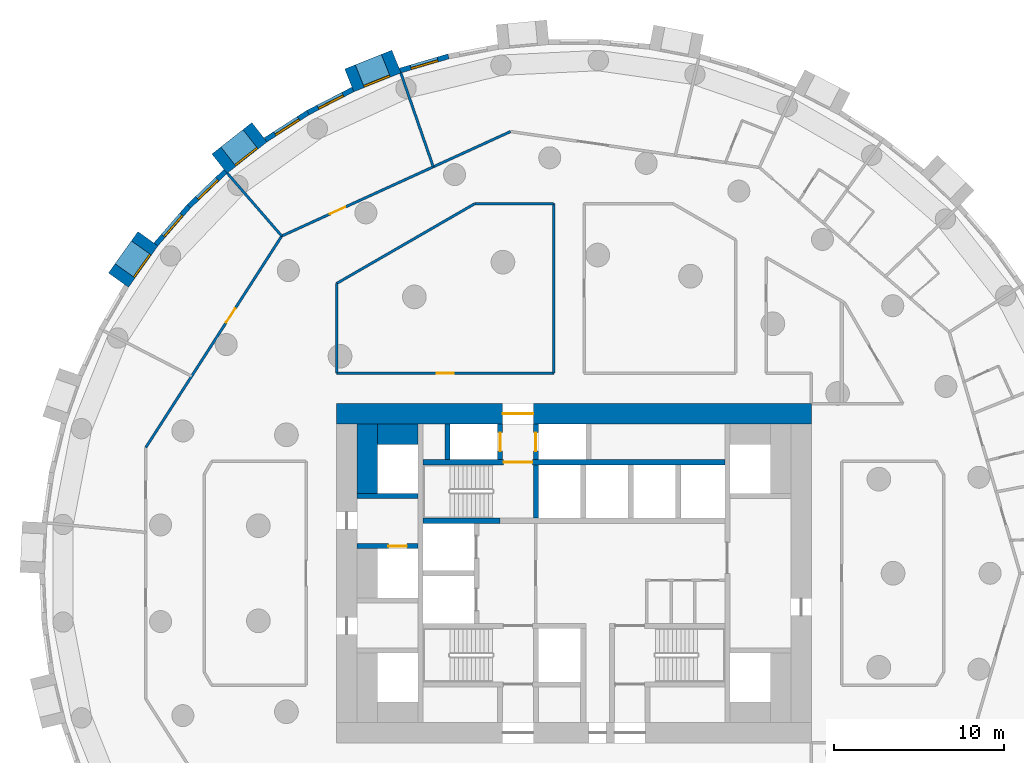
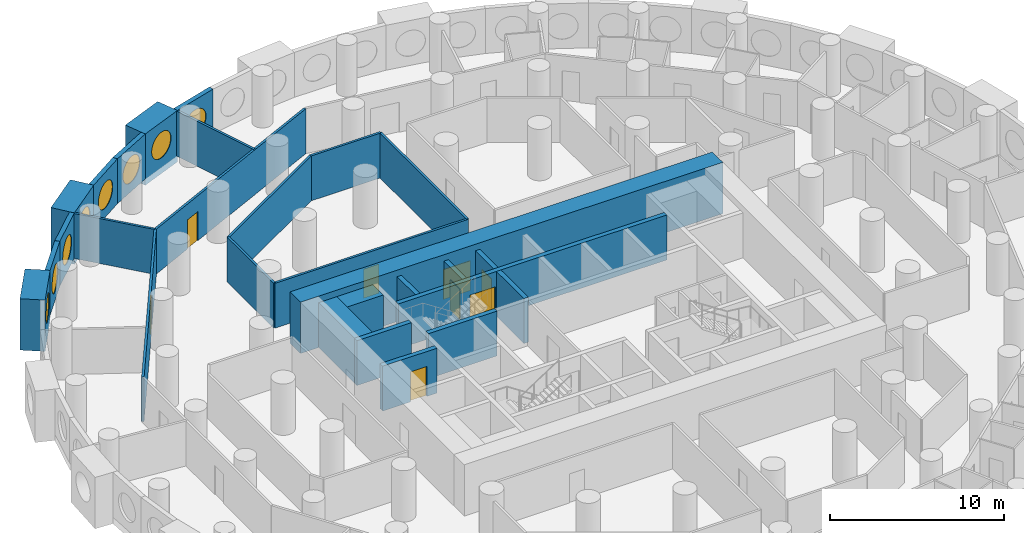
# One storey, part 7 of 12: 28 walls, 8 doors, 8 windows, 16 openings.
"""IFC4 building model written with IfcOpenShell, lengths in metres."""

from ifc_helpers import new_model, si_unit, direction, frame, frame_2d, origin, origin_2d, place, context, subcontext, project, spatial, rectangle, circle, extrude, material, layer, layer_set, type_object, element, fill, save


model = new_model("IFC4")

# Units and contexts
model_context = context("Model", 3, precision=1e-05, world=origin(), true_north=direction((0.0, 1.0)))
body_context = subcontext(model_context, "Body", "Model", "MODEL_VIEW")
ifc_project = project(units=[si_unit("LENGTHUNIT", "METRE"), si_unit("AREAUNIT", "SQUARE_METRE"), si_unit("VOLUMEUNIT", "CUBIC_METRE"), si_unit("PLANEANGLEUNIT", "RADIAN"), si_unit("MASSUNIT", "GRAM", prefix="KILO")], contexts=[model_context])

# Site, building, storey
site_placement = place(None, origin())
site = spatial("IfcSite", under=ifc_project, at=site_placement, CompositionType="ELEMENT")
building_placement = place(site_placement, origin())
building = spatial("IfcBuilding", under=site, at=building_placement, Name="Tracery Tower", CompositionType="ELEMENT")
storey_placement = place(building_placement, frame((0.0, 0.0, 75.0)))
storey = spatial("IfcBuildingStorey", under=building, at=storey_placement, Name="L18", CompositionType="ELEMENT", Elevation=75.0)

# Walls
ifc_material_1 = material(Name="Concrete C60/75", Category="concrete")
ifc_layer_1 = layer(ifc_material_1, 1.199951171875)
ifc_layer_set_1 = layer_set([ifc_layer_1], Name="Core strip wall 1200 C60")
wall_type_1 = type_object("IfcWallType", Name="Core strip wall 1200 C60", PredefinedType="SOLIDWALL", material=ifc_layer_set_1)
wall_1_placement = place(storey_placement, frame((-12.199951171875, 4.699951171875, 0.0), z_axis=(0.0, 0.0, 1.0), x_axis=(0.0, 1.0, 0.0)))
element("IfcWall", 1, at=wall_1_placement, inside=storey, type_object=wall_type_1, Name="L18 wing strip -1 4.55", PredefinedType="SOLIDWALL", context=body_context, shape_type="SweptSolid", body=[
    extrude(rectangle(XDim=4.10009765625, YDim=1.199951171875, at=frame_2d((2.050048828125, 0.0))), origin(), (0.0, 0.0, 1.0), 3.14990234375),
])
wall_2_placement = place(storey_placement, frame((-11.60009765625, 8.199951171875, 0.0), z_axis=(0.0, 0.0, 1.0), x_axis=(1.0, 0.0, 0.0)))
element("IfcWall", 2, at=wall_2_placement, inside=storey, type_object=wall_type_1, Name="L18 wing corner -1 +8.2", PredefinedType="SOLIDWALL", context=body_context, shape_type="SweptSolid", body=[
    extrude(rectangle(XDim=2.400146484375, YDim=1.199951171875, at=frame_2d((1.2001953125, 0.0))), origin(), (0.0, 0.0, 1.0), 3.14990234375),
])

# Wall, opening, door
ifc_material_2 = material(Name="Concrete C60/75", Category="concrete")
ifc_layer_2 = layer(ifc_material_2, 1.199951171875)
ifc_layer_set_2 = layer_set([ifc_layer_2], Name="Core wall 1200 C60")
wall_type_2 = type_object("IfcWallType", Name="Core wall 1200 C60", PredefinedType="SOLIDWALL", material=ifc_layer_set_2)
wall_3_placement = place(storey_placement, frame((-14.0, 9.39990234375, 0.0), z_axis=(0.0, 0.0, 1.0), x_axis=(1.0, 0.0, 0.0)))
wall_3 = element("IfcWall", 3, at=wall_3_placement, inside=storey, type_object=wall_type_2, Name="L18 outer N", PredefinedType="SOLIDWALL", context=body_context, shape_type="SweptSolid", body=[
    extrude(rectangle(XDim=28.0, YDim=1.199951171875, at=frame_2d((14.0, 0.0))), origin(), (0.0, 0.0, 1.0), 3.60009765625),
])
opening_1_placement = place(wall_3_placement, frame((9.800048828125, 0.0, 0.0)))
opening_1 = element("IfcOpeningElement", 4, at=opening_1_placement, cuts=wall_3, Name="Opening KD13", PredefinedType="OPENING", context=body_context, shape_type="SweptSolid", body=[
    extrude(rectangle(XDim=1.800048828125, YDim=2.10009765625, at=frame_2d((0.89990234375, 1.050048828125))), frame((0.0, 0.60009765625, 0.0), z_axis=(0.0, -1.0, 0.0), x_axis=(1.0, 0.0, 0.0)), (0.0, 0.0, 1.0), 1.199951171875),
])
ifc_material_3 = material(Name="Steel fire door", Category="steel")
door_type_1 = type_object("IfcDoorType", Name="Core exit door 1800 double", OperationType="NOTDEFINED", PredefinedType="DOOR", material=ifc_material_3)
door_1_placement = place(opening_1_placement, origin())
door_1 = element("IfcDoor", 5, at=door_1_placement, inside=storey, type_object=door_type_1, Name="Core exit door", OperationType="DOUBLE_DOOR_SINGLE_SWING", OverallHeight=2.10009765625, OverallWidth=1.800048828125, PredefinedType="DOOR", context=body_context, shape_type="SweptSolid", body=[
    extrude(rectangle(XDim=1.800048828125, YDim=2.10009765625, at=frame_2d((0.89990234375, 1.050048828125))), frame((0.0, 0.02490234375, 0.0), z_axis=(0.0, -1.0, 0.0), x_axis=(1.0, 0.0, 0.0)), (0.0, 0.0, 1.0), 0.050048828125),
])
fill(opening_1, door_1)

# Wall, opening, window
ifc_material_4 = material(Name="Precast concrete C50/60", Category="concrete")
ifc_layer_3 = layer(ifc_material_4, 1.449951171875)
ifc_layer_set_3 = layer_set([ifc_layer_3], Name="Deep-set bay unit 3000 x 3600, slab edge 450")
wall_type_3 = type_object("IfcWallType", Name="Deep-set bay unit 3000 x 3600, slab edge 450", PredefinedType="ELEMENTEDWALL", material=ifc_layer_set_3)
wall_4_placement = place(storey_placement, frame((-10.46875, 30.185302734375, -0.449951171875), z_axis=(0.0, 0.0, 1.0), x_axis=(-0.928358776184, -0.371685327504, 0.0)))
wall_4 = element("IfcWall", 6, at=wall_4_placement, inside=storey, type_object=wall_type_3, Name="Deep-set bay unit 21 at L18", PredefinedType="ELEMENTEDWALL", context=body_context, shape_type="SweptSolid", body=[
    extrude(rectangle(XDim=2.999755859375, YDim=1.449951171875, at=frame_2d((1.5, 0.0))), origin(), (0.0, 0.0, 1.0), 3.599853515625),
])
opening_2_placement = place(wall_4_placement, frame((1.5, 0.0, 2.0)))
opening_2 = element("IfcOpeningElement", 7, at=opening_2_placement, cuts=wall_4, Name="Opening WN1", PredefinedType="OPENING", context=body_context, shape_type="SweptSolid", body=[
    extrude(circle(Radius=0.9000244140625, at=origin_2d()), frame((0.0, 0.73486328125, 0.0), z_axis=(0.0, -1.0, 0.0), x_axis=(1.0, 0.0, 0.0)), (0.0, 0.0, 1.0), 1.469970703125),
])
ifc_material_5 = material(Name="Aluminium frame with tinted double glazing", Category="aluminium")
window_type = type_object("IfcWindowType", Name="Round window 1800", PartitioningType="SINGLE_PANEL", PredefinedType="WINDOW", material=ifc_material_5)
window_1_placement = place(opening_2_placement, origin())
window_1 = element("IfcWindow", 8, at=window_1_placement, inside=storey, type_object=window_type, Name="Round window 21 at L18", OverallHeight=1.800048828125, OverallWidth=1.800048828125, PartitioningType="SINGLE_PANEL", PredefinedType="WINDOW", context=body_context, shape_type="SweptSolid", body=[
    extrude(circle(Radius=0.9000244140625, at=origin_2d()), frame((0.0, 0.69482421875, 0.0), z_axis=(0.0, -1.0, 0.0), x_axis=(1.0, 0.0, 0.0)), (0.0, 0.0, 1.0), 0.10009765625),
])
fill(opening_2, window_1)

wall_5_placement = place(storey_placement, frame((-18.548828125, 26.01318359375, -0.449951171875), z_axis=(0.0, 0.0, 1.0), x_axis=(-0.786049992888, -0.618162930529, 0.0)))
wall_5 = element("IfcWall", 9, at=wall_5_placement, inside=storey, type_object=wall_type_3, Name="Deep-set bay unit 24 at L18", PredefinedType="ELEMENTEDWALL", context=body_context, shape_type="SweptSolid", body=[
    extrude(rectangle(XDim=3.0, YDim=1.449951171875, at=frame_2d((1.5, 0.0))), origin(), (0.0, 0.0, 1.0), 3.599853515625),
])
opening_3_placement = place(wall_5_placement, frame((1.5, 0.0, 2.0)))
opening_3 = element("IfcOpeningElement", 10, at=opening_3_placement, cuts=wall_5, Name="Opening WN1", PredefinedType="OPENING", context=body_context, shape_type="SweptSolid", body=[
    extrude(circle(Radius=0.9000244140625, at=origin_2d()), frame((0.0, 0.73486328125, 0.0), z_axis=(0.0, -1.0, 0.0), x_axis=(1.0, 0.0, 0.0)), (0.0, 0.0, 1.0), 1.469970703125),
])
window_2_placement = place(opening_3_placement, origin())
window_2 = element("IfcWindow", 11, at=window_2_placement, inside=storey, type_object=window_type, Name="Round window 24 at L18", OverallHeight=1.800048828125, OverallWidth=1.800048828125, PartitioningType="SINGLE_PANEL", PredefinedType="WINDOW", context=body_context, shape_type="SweptSolid", body=[
    extrude(circle(Radius=0.9000244140625, at=origin_2d()), frame((0.0, 0.69482421875, 0.0), z_axis=(0.0, -1.0, 0.0), x_axis=(1.0, 0.0, 0.0)), (0.0, 0.0, 1.0), 0.10009765625),
])
fill(opening_3, window_2)

wall_6_placement = place(storey_placement, frame((-25.126220703125, 19.733642578125, -0.449951171875), z_axis=(0.0, 0.0, 1.0), x_axis=(-0.580090570606, -0.814551981088, 0.0)))
wall_6 = element("IfcWall", 12, at=wall_6_placement, inside=storey, type_object=wall_type_3, Name="Deep-set bay unit 27 at L18", PredefinedType="ELEMENTEDWALL", context=body_context, shape_type="SweptSolid", body=[
    extrude(rectangle(XDim=3.0, YDim=1.449951171875, at=frame_2d((1.5, 0.0))), origin(), (0.0, 0.0, 1.0), 3.599853515625),
])
opening_4_placement = place(wall_6_placement, frame((1.5, 0.0, 2.0)))
opening_4 = element("IfcOpeningElement", 13, at=opening_4_placement, cuts=wall_6, Name="Opening WN1", PredefinedType="OPENING", context=body_context, shape_type="SweptSolid", body=[
    extrude(circle(Radius=0.9000244140625, at=origin_2d()), frame((0.0, 0.73486328125, 0.0), z_axis=(0.0, -1.0, 0.0), x_axis=(1.0, 0.0, 0.0)), (0.0, 0.0, 1.0), 1.469970703125),
])
window_3_placement = place(opening_4_placement, origin())
window_3 = element("IfcWindow", 14, at=window_3_placement, inside=storey, type_object=window_type, Name="Round window 27 at L18", OverallHeight=1.800048828125, OverallWidth=1.800048828125, PartitioningType="SINGLE_PANEL", PredefinedType="WINDOW", context=body_context, shape_type="SweptSolid", body=[
    extrude(circle(Radius=0.9000244140625, at=origin_2d()), frame((0.0, 0.69482421875, 0.0), z_axis=(0.0, -1.0, 0.0), x_axis=(1.0, 0.0, 0.0)), (0.0, 0.0, 1.0), 0.10009765625),
])
fill(opening_4, window_3)

ifc_material_6 = material(Name="Precast concrete C50/60", Category="concrete")
ifc_layer_4 = layer(ifc_material_6, 0.300048828125)
ifc_layer_set_4 = layer_set([ifc_layer_4], Name="Facade panel 3000 x 3150")
wall_type_4 = type_object("IfcWallType", Name="Facade panel 3000 x 3150", PredefinedType="SOLIDWALL", material=ifc_layer_set_4)
wall_7_placement = place(storey_placement, frame((-7.396728515625, 30.489990234375, 0.0), z_axis=(0.0, 0.0, 1.0), x_axis=(-0.959507586834, -0.28168278401, 0.0)))
wall_7 = element("IfcWall", 15, at=wall_7_placement, inside=storey, type_object=wall_type_4, Name="Facade panel 20 at L18", PredefinedType="SOLIDWALL", context=body_context, shape_type="SweptSolid", body=[
    extrude(rectangle(XDim=2.979736328125, YDim=0.300048828125, at=frame_2d((1.48974609375, 0.0))), origin(), (0.0, 0.0, 1.0), 3.14990234375),
])
opening_5_placement = place(wall_7_placement, frame((1.48974609375, 0.0, 1.5498046875)))
opening_5 = element("IfcOpeningElement", 16, at=opening_5_placement, cuts=wall_7, Name="Opening WN1", PredefinedType="OPENING", context=body_context, shape_type="SweptSolid", body=[
    extrude(circle(Radius=0.9000244140625, at=origin_2d()), frame((0.0, 0.159912109375, 0.0), z_axis=(0.0, -1.0, 0.0), x_axis=(1.0, 0.0, 0.0)), (0.0, 0.0, 1.0), 0.320068359375),
])
window_4_placement = place(opening_5_placement, origin())
window_4 = element("IfcWindow", 17, at=window_4_placement, inside=storey, type_object=window_type, Name="Round window 20 at L18", OverallHeight=1.800048828125, OverallWidth=1.800048828125, PartitioningType="SINGLE_PANEL", PredefinedType="WINDOW", context=body_context, shape_type="SweptSolid", body=[
    extrude(circle(Radius=0.9000244140625, at=origin_2d()), frame((0.0, 0.1201171875, 0.0), z_axis=(0.0, -1.0, 0.0), x_axis=(1.0, 0.0, 0.0)), (0.0, 0.0, 1.0), 0.10009765625),
])
fill(opening_5, window_4)

wall_8_placement = place(storey_placement, frame((-13.038818359375, 28.536376953125, 0.0), z_axis=(0.0, 0.0, 1.0), x_axis=(-0.888853225096, -0.4581920386, 0.0)))
wall_8 = element("IfcWall", 18, at=wall_8_placement, inside=storey, type_object=wall_type_4, Name="Facade panel 22 at L18", PredefinedType="SOLIDWALL", context=body_context, shape_type="SweptSolid", body=[
    extrude(rectangle(XDim=2.9794921875, YDim=0.300048828125, at=frame_2d((1.48974609375, 0.0))), origin(), (0.0, 0.0, 1.0), 3.14990234375),
])
opening_6_placement = place(wall_8_placement, frame((1.48974609375, 0.0, 1.5498046875)))
opening_6 = element("IfcOpeningElement", 19, at=opening_6_placement, cuts=wall_8, Name="Opening WN1", PredefinedType="OPENING", context=body_context, shape_type="SweptSolid", body=[
    extrude(circle(Radius=0.9000244140625, at=origin_2d()), frame((0.0, 0.159912109375, 0.0), z_axis=(0.0, -1.0, 0.0), x_axis=(1.0, 0.0, 0.0)), (0.0, 0.0, 1.0), 0.320068359375),
])
window_5_placement = place(opening_6_placement, origin())
window_5 = element("IfcWindow", 20, at=window_5_placement, inside=storey, type_object=window_type, Name="Round window 22 at L18", OverallHeight=1.800048828125, OverallWidth=1.800048828125, PartitioningType="SINGLE_PANEL", PredefinedType="WINDOW", context=body_context, shape_type="SweptSolid", body=[
    extrude(circle(Radius=0.9000244140625, at=origin_2d()), frame((0.0, 0.1201171875, 0.0), z_axis=(0.0, -1.0, 0.0), x_axis=(1.0, 0.0, 0.0)), (0.0, 0.0, 1.0), 0.10009765625),
])
fill(opening_6, window_5)

wall_9_placement = place(storey_placement, frame((-15.687255859375, 27.171142578125, 0.0), z_axis=(0.0, 0.0, 1.0), x_axis=(-0.84122372879, -0.540687190639, 0.0)))
wall_9 = element("IfcWall", 21, at=wall_9_placement, inside=storey, type_object=wall_type_4, Name="Facade panel 23 at L18", PredefinedType="SOLIDWALL", context=body_context, shape_type="SweptSolid", body=[
    extrude(rectangle(XDim=2.979736328125, YDim=0.300048828125, at=frame_2d((1.48974609375, 0.0))), origin(), (0.0, 0.0, 1.0), 3.14990234375),
])
opening_7_placement = place(wall_9_placement, frame((1.48974609375, 0.0, 1.5498046875)))
opening_7 = element("IfcOpeningElement", 22, at=opening_7_placement, cuts=wall_9, Name="Opening WN1", PredefinedType="OPENING", context=body_context, shape_type="SweptSolid", body=[
    extrude(circle(Radius=0.9000244140625, at=origin_2d()), frame((0.0, 0.159912109375, 0.0), z_axis=(0.0, -1.0, 0.0), x_axis=(1.0, 0.0, 0.0)), (0.0, 0.0, 1.0), 0.320068359375),
])
window_6_placement = place(opening_7_placement, origin())
window_6 = element("IfcWindow", 23, at=window_6_placement, inside=storey, type_object=window_type, Name="Round window 23 at L18", OverallHeight=1.800048828125, OverallWidth=1.800048828125, PartitioningType="SINGLE_PANEL", PredefinedType="WINDOW", context=body_context, shape_type="SweptSolid", body=[
    extrude(circle(Radius=0.9000244140625, at=origin_2d()), frame((0.0, 0.1201171875, 0.0), z_axis=(0.0, -1.0, 0.0), x_axis=(1.0, 0.0, 0.0)), (0.0, 0.0, 1.0), 0.10009765625),
])
fill(opening_7, window_6)

wall_10_placement = place(storey_placement, frame((-20.55029296875, 23.70703125, 0.0), z_axis=(0.0, 0.0, 1.0), x_axis=(-0.723744206617, -0.690068346896, 0.0)))
wall_10 = element("IfcWall", 24, at=wall_10_placement, inside=storey, type_object=wall_type_4, Name="Facade panel 25 at L18", PredefinedType="SOLIDWALL", context=body_context, shape_type="SweptSolid", body=[
    extrude(rectangle(XDim=2.979736328125, YDim=0.300048828125, at=frame_2d((1.48974609375, 0.0))), origin(), (0.0, 0.0, 1.0), 3.14990234375),
])
opening_8_placement = place(wall_10_placement, frame((1.48974609375, 0.0, 1.5498046875)))
opening_8 = element("IfcOpeningElement", 25, at=opening_8_placement, cuts=wall_10, Name="Opening WN1", PredefinedType="OPENING", context=body_context, shape_type="SweptSolid", body=[
    extrude(circle(Radius=0.9000244140625, at=origin_2d()), frame((0.0, 0.159912109375, 0.0), z_axis=(0.0, -1.0, 0.0), x_axis=(1.0, 0.0, 0.0)), (0.0, 0.0, 1.0), 0.320068359375),
])
window_7_placement = place(opening_8_placement, origin())
window_7 = element("IfcWindow", 26, at=window_7_placement, inside=storey, type_object=window_type, Name="Round window 25 at L18", OverallHeight=1.800048828125, OverallWidth=1.800048828125, PartitioningType="SINGLE_PANEL", PredefinedType="WINDOW", context=body_context, shape_type="SweptSolid", body=[
    extrude(circle(Radius=0.9000244140625, at=origin_2d()), frame((0.0, 0.1201171875, 0.0), z_axis=(0.0, -1.0, 0.0), x_axis=(1.0, 0.0, 0.0)), (0.0, 0.0, 1.0), 0.10009765625),
])
fill(opening_8, window_7)

wall_11_placement = place(storey_placement, frame((-22.706787109375, 21.65087890625, 0.0), z_axis=(0.0, 0.0, 1.0), x_axis=(-0.654830712471, -0.755775587066, 0.0)))
wall_11 = element("IfcWall", 27, at=wall_11_placement, inside=storey, type_object=wall_type_4, Name="Facade panel 26 at L18", PredefinedType="SOLIDWALL", context=body_context, shape_type="SweptSolid", body=[
    extrude(rectangle(XDim=2.979736328125, YDim=0.300048828125, at=frame_2d((1.48974609375, 0.0))), origin(), (0.0, 0.0, 1.0), 3.14990234375),
])
opening_9_placement = place(wall_11_placement, frame((1.48974609375, 0.0, 1.5498046875)))
opening_9 = element("IfcOpeningElement", 28, at=opening_9_placement, cuts=wall_11, Name="Opening WN1", PredefinedType="OPENING", context=body_context, shape_type="SweptSolid", body=[
    extrude(circle(Radius=0.9000244140625, at=origin_2d()), frame((0.0, 0.159912109375, 0.0), z_axis=(0.0, -1.0, 0.0), x_axis=(1.0, 0.0, 0.0)), (0.0, 0.0, 1.0), 0.320068359375),
])
window_8_placement = place(opening_9_placement, origin())
window_8 = element("IfcWindow", 29, at=window_8_placement, inside=storey, type_object=window_type, Name="Round window 26 at L18", OverallHeight=1.800048828125, OverallWidth=1.800048828125, PartitioningType="SINGLE_PANEL", PredefinedType="WINDOW", context=body_context, shape_type="SweptSolid", body=[
    extrude(circle(Radius=0.9000244140625, at=origin_2d()), frame((0.0, 0.1201171875, 0.0), z_axis=(0.0, -1.0, 0.0), x_axis=(1.0, 0.0, 0.0)), (0.0, 0.0, 1.0), 0.10009765625),
])
fill(opening_9, window_8)

# Walls
ifc_material_7 = material(Name="Plasterboard on steel studs", Category="steel")
ifc_layer_5 = layer(ifc_material_7, 0.14990234375)
ifc_layer_set_5 = layer_set([ifc_layer_5], Name="Partition 150 acoustic unit wall")
wall_type_5 = type_object("IfcWallType", Name="Partition 150 acoustic unit wall", PredefinedType="PARTITIONING", material=ifc_layer_set_5)
wall_12_placement = place(storey_placement, frame((-10.2119140625, 29.507080078125, 0.0), z_axis=(0.0, 0.0, 1.0), x_axis=(0.32692444056, -0.94505048022, 0.0)))
element("IfcWall", 30, at=wall_12_placement, inside=storey, type_object=wall_type_5, Name="Unit wall RA5-080", PredefinedType="PARTITIONING", context=body_context, shape_type="SweptSolid", body=[
    extrude(rectangle(XDim=5.85693359375, YDim=0.14990234375, at=frame_2d((2.928466796875, 0.0))), origin(), (0.0, 0.0, 1.0), 3.14990234375),
])
wall_13_placement = place(storey_placement, frame((-20.447998046875, 23.597900390625, 0.0), z_axis=(0.0, 0.0, 1.0), x_axis=(0.654847179409, -0.755761319214, 0.0)))
element("IfcWall", 31, at=wall_13_placement, inside=storey, type_object=wall_type_5, Name="Unit wall RA5-081", PredefinedType="PARTITIONING", context=body_context, shape_type="SweptSolid", body=[
    extrude(rectangle(XDim=4.90625, YDim=0.14990234375, at=frame_2d((2.453125, 0.0))), origin(), (0.0, 0.0, 1.0), 3.14990234375),
])

# Wall, opening, door
ifc_material_8 = material(Name="Plasterboard on steel studs", Category="steel")
ifc_layer_6 = layer(ifc_material_8, 0.14990234375)
ifc_layer_set_6 = layer_set([ifc_layer_6], Name="Partition 150 corridor wall")
wall_type_6 = type_object("IfcWallType", Name="Partition 150 corridor wall", PredefinedType="PARTITIONING", material=ifc_layer_set_6)
wall_14_placement = place(storey_placement, frame((-14.00390625, 11.800048828125, 0.0), z_axis=(0.0, 0.0, 1.0), x_axis=(1.0, 0.0, 0.0)))
wall_14 = element("IfcWall", 32, at=wall_14_placement, inside=storey, type_object=wall_type_6, Name="Corridor wall RA5-001", PredefinedType="PARTITIONING", context=body_context, shape_type="SweptSolid", body=[
    extrude(rectangle(XDim=12.81591796875, YDim=0.14990234375, at=frame_2d((6.407958984375, 0.0))), origin(), (0.0, 0.0, 1.0), 3.14990234375),
])
opening_10_placement = place(wall_14_placement, frame((5.907958984375, 0.0, 0.0)))
opening_10 = element("IfcOpeningElement", 33, at=opening_10_placement, cuts=wall_14, Name="Opening RA5-01", PredefinedType="OPENING", context=body_context, shape_type="SweptSolid", body=[
    extrude(rectangle(XDim=1.0, YDim=2.0400390625, at=frame_2d((0.5, 1.02001953125))), frame((0.0, 0.074951171875, 0.0), z_axis=(0.0, -1.0, 0.0), x_axis=(1.0, 0.0, 0.0)), (0.0, 0.0, 1.0), 0.14990234375),
])
ifc_material_9 = material(Name="Timber door leaf", Category="wood")
door_type_2 = type_object("IfcDoorType", Name="Door communal room 1000", OperationType="NOTDEFINED", PredefinedType="DOOR", material=ifc_material_9)
door_2_placement = place(opening_10_placement, origin())
door_2 = element("IfcDoor", 34, at=door_2_placement, inside=storey, type_object=door_type_2, Name="Communal room door RA5-01", OperationType="SINGLE_SWING_RIGHT", OverallHeight=2.0400390625, OverallWidth=1.0, PredefinedType="DOOR", context=body_context, shape_type="SweptSolid", body=[
    extrude(rectangle(XDim=1.0, YDim=2.0400390625, at=frame_2d((0.5, 1.02001953125))), frame((0.0, 0.02490234375, 0.0), z_axis=(0.0, -1.0, 0.0), x_axis=(1.0, 0.0, 0.0)), (0.0, 0.0, 1.0), 0.050048828125),
])
fill(opening_10, door_2)

# Walls
wall_15_placement = place(storey_placement, frame((-1.19189453125, 11.800048828125, 0.0), z_axis=(0.0, 0.0, 1.0), x_axis=(0.0, 1.0, 0.0)))
element("IfcWall", 35, at=wall_15_placement, inside=storey, type_object=wall_type_6, Name="Corridor wall RA5-024", PredefinedType="PARTITIONING", context=body_context, shape_type="SweptSolid", body=[
    extrude(rectangle(XDim=10.001953125, YDim=0.14990234375, at=frame_2d((5.0009765625, 0.0))), origin(), (0.0, 0.0, 1.0), 3.14990234375),
])
wall_16_placement = place(storey_placement, frame((-5.842041015625, 21.802001953125, 0.0), z_axis=(0.0, 0.0, 1.0), x_axis=(1.0, 0.0, 0.0)))
element("IfcWall", 36, at=wall_16_placement, inside=storey, type_object=wall_type_6, Name="Corridor wall RA5-025", PredefinedType="PARTITIONING", context=body_context, shape_type="SweptSolid", body=[
    extrude(rectangle(XDim=4.650146484375, YDim=0.14990234375, at=frame_2d((2.3251953125, 0.0))), origin(), (0.0, 0.0, 1.0), 3.14990234375),
])
wall_17_placement = place(storey_placement, frame((-14.0, 17.092041015625, 0.0), z_axis=(0.0, 0.0, 1.0), x_axis=(0.86602719091, 0.499996904595, 0.0)))
element("IfcWall", 37, at=wall_17_placement, inside=storey, type_object=wall_type_6, Name="Corridor wall RA5-026", PredefinedType="PARTITIONING", context=body_context, shape_type="SweptSolid", body=[
    extrude(rectangle(XDim=9.419921875, YDim=0.14990234375, at=frame_2d((4.7099609375, 0.0))), origin(), (0.0, 0.0, 1.0), 3.14990234375),
])
wall_18_placement = place(storey_placement, frame((-14.0, 11.800048828125, 0.0), z_axis=(0.0, 0.0, 1.0), x_axis=(0.0, 1.0, 0.0)))
element("IfcWall", 38, at=wall_18_placement, inside=storey, type_object=wall_type_6, Name="Corridor wall RA5-027", PredefinedType="PARTITIONING", context=body_context, shape_type="SweptSolid", body=[
    extrude(rectangle(XDim=5.2919921875, YDim=0.14990234375, at=frame_2d((2.64599609375, 0.0))), origin(), (0.0, 0.0, 1.0), 3.14990234375),
])

# Wall, opening, door
wall_19_placement = place(storey_placement, frame((-17.235595703125, 19.89111328125, 0.0), z_axis=(0.0, 0.0, 1.0), x_axis=(0.909645678785, 0.415385049163, 0.0)))
wall_19 = element("IfcWall", 39, at=wall_19_placement, inside=storey, type_object=wall_type_6, Name="Corridor wall RA5-035", PredefinedType="PARTITIONING", context=body_context, shape_type="SweptSolid", body=[
    extrude(rectangle(XDim=14.829345703125, YDim=0.14990234375, at=frame_2d((7.41455078125, 0.0))), origin(), (0.0, 0.0, 1.0), 3.14990234375),
])
opening_11_placement = place(wall_19_placement, frame((3.114990234375, 0.0, 0.0)))
opening_11 = element("IfcOpeningElement", 40, at=opening_11_placement, cuts=wall_19, Name="Opening RA5-25", PredefinedType="OPENING", context=body_context, shape_type="SweptSolid", body=[
    extrude(rectangle(XDim=1.0, YDim=2.0400390625, at=frame_2d((0.5, 1.02001953125))), frame((0.0, 0.074951171875, 0.0), z_axis=(0.0, -1.0, 0.0), x_axis=(1.0, 0.0, 0.0)), (0.0, 0.0, 1.0), 0.14990234375),
])
door_3_placement = place(opening_11_placement, origin())
door_3 = element("IfcDoor", 41, at=door_3_placement, inside=storey, type_object=door_type_2, Name="Communal room door RA5-25", OperationType="SINGLE_SWING_LEFT", OverallHeight=2.0400390625, OverallWidth=1.0, PredefinedType="DOOR", context=body_context, shape_type="SweptSolid", body=[
    extrude(rectangle(XDim=1.0, YDim=2.0400390625, at=frame_2d((0.5, 1.02001953125))), frame((0.0, 0.02490234375, 0.0), z_axis=(0.0, -1.0, 0.0), x_axis=(1.0, 0.0, 0.0)), (0.0, 0.0, 1.0), 0.050048828125),
])
fill(opening_11, door_3)

wall_20_placement = place(storey_placement, frame((-25.2548828125, 7.416259765625, 0.0), z_axis=(0.0, 0.0, 1.0), x_axis=(0.540805851332, 0.841147449123, 0.0)))
wall_20 = element("IfcWall", 42, at=wall_20_placement, inside=storey, type_object=wall_type_6, Name="Corridor wall RA5-036", PredefinedType="PARTITIONING", context=body_context, shape_type="SweptSolid", body=[
    extrude(rectangle(XDim=14.829345703125, YDim=0.14990234375, at=frame_2d((7.41455078125, 0.0))), origin(), (0.0, 0.0, 1.0), 3.14990234375),
])
opening_12_placement = place(wall_20_placement, frame((8.75390625, 0.0, 0.0)))
opening_12 = element("IfcOpeningElement", 43, at=opening_12_placement, cuts=wall_20, Name="Opening RA5-26", PredefinedType="OPENING", context=body_context, shape_type="SweptSolid", body=[
    extrude(rectangle(XDim=1.0, YDim=2.0400390625, at=frame_2d((0.5, 1.02001953125))), frame((0.0, 0.074951171875, 0.0), z_axis=(0.0, -1.0, 0.0), x_axis=(1.0, 0.0, 0.0)), (0.0, 0.0, 1.0), 0.14990234375),
])
door_4_placement = place(opening_12_placement, origin())
door_4 = element("IfcDoor", 44, at=door_4_placement, inside=storey, type_object=door_type_2, Name="Communal room door RA5-26", OperationType="SINGLE_SWING_RIGHT", OverallHeight=2.0400390625, OverallWidth=1.0, PredefinedType="DOOR", context=body_context, shape_type="SweptSolid", body=[
    extrude(rectangle(XDim=1.0, YDim=2.0400390625, at=frame_2d((0.5, 1.02001953125))), frame((0.0, 0.02490234375, 0.0), z_axis=(0.0, -1.0, 0.0), x_axis=(1.0, 0.0, 0.0)), (0.0, 0.0, 1.0), 0.050048828125),
])
fill(opening_12, door_4)

# Wall
ifc_material_10 = material(Name="Concrete C60/75", Category="concrete")
ifc_layer_7 = layer(ifc_material_10, 0.300048828125)
ifc_layer_set_7 = layer_set([ifc_layer_7], Name="Shaft wall 300 C60")
wall_type_7 = type_object("IfcWallType", Name="Shaft wall 300 C60", PredefinedType="SOLIDWALL", material=ifc_layer_set_7)
wall_21_placement = place(storey_placement, frame((-7.449951171875, 6.699951171875, 0.0), z_axis=(0.0, 0.0, 1.0), x_axis=(0.0, 1.0, 0.0)))
element("IfcWall", 45, at=wall_21_placement, inside=storey, type_object=wall_type_7, Name="L18 LR sep -7.45", PredefinedType="SOLIDWALL", context=body_context, shape_type="SweptSolid", body=[
    extrude(rectangle(XDim=2.10009765625, YDim=0.300048828125, at=frame_2d((1.050048828125, 0.0))), origin(), (0.0, 0.0, 1.0), 3.14990234375),
])

# Wall, opening, door
wall_22_placement = place(storey_placement, frame((-4.35009765625, 6.699951171875, 0.0), z_axis=(0.0, 0.0, 1.0), x_axis=(0.0, 1.0, 0.0)))
wall_22 = element("IfcWall", 46, at=wall_22_placement, inside=storey, type_object=wall_type_7, Name="L18 LR sep -4.35", PredefinedType="SOLIDWALL", context=body_context, shape_type="SweptSolid", body=[
    extrude(rectangle(XDim=2.10009765625, YDim=0.300048828125, at=frame_2d((1.050048828125, 0.0))), origin(), (0.0, 0.0, 1.0), 3.14990234375),
])
opening_13_placement = place(wall_22_placement, frame((0.5, 0.0, 0.0)))
opening_13 = element("IfcOpeningElement", 47, at=opening_13_placement, cuts=wall_22, Name="Opening KD50", PredefinedType="OPENING", context=body_context, shape_type="SweptSolid", body=[
    extrude(rectangle(XDim=1.10009765625, YDim=2.10009765625, at=frame_2d((0.550048828125, 1.050048828125))), frame((0.0, 0.14990234375, 0.0), z_axis=(0.0, -1.0, 0.0), x_axis=(1.0, 0.0, 0.0)), (0.0, 0.0, 1.0), 0.300048828125),
])
ifc_material_11 = material(Name="Steel fire door", Category="steel")
door_type_3 = type_object("IfcDoorType", Name="Landing door 1100", OperationType="NOTDEFINED", PredefinedType="DOOR", material=ifc_material_11)
door_5_placement = place(opening_13_placement, origin())
door_5 = element("IfcDoor", 48, at=door_5_placement, inside=storey, type_object=door_type_3, Name="Landing door LR3", OperationType="SLIDING_TO_RIGHT", OverallHeight=2.10009765625, OverallWidth=1.10009765625, PredefinedType="DOOR", context=body_context, shape_type="SweptSolid", body=[
    extrude(rectangle(XDim=1.10009765625, YDim=2.10009765625, at=frame_2d((0.550048828125, 1.050048828125))), frame((0.0, 0.02490234375, 0.0), z_axis=(0.0, -1.0, 0.0), x_axis=(1.0, 0.0, 0.0)), (0.0, 0.0, 1.0), 0.050048828125),
])
fill(opening_13, door_5)

# Wall
wall_23_placement = place(storey_placement, frame((-12.800048828125, 4.550048828125, 0.0), z_axis=(0.0, 0.0, 1.0), x_axis=(1.0, 0.0, 0.0)))
element("IfcWall", 49, at=wall_23_placement, inside=storey, type_object=wall_type_7, Name="L18 wing shaft wall -1 +4.55", PredefinedType="SOLIDWALL", context=body_context, shape_type="SweptSolid", body=[
    extrude(rectangle(XDim=3.60009765625, YDim=0.300048828125, at=frame_2d((1.800048828125, 0.0))), origin(), (0.0, 0.0, 1.0), 3.14990234375),
])

# Wall, opening, door
wall_24_placement = place(storey_placement, frame((-12.800048828125, 1.60009765625, 0.0), z_axis=(0.0, 0.0, 1.0), x_axis=(1.0, 0.0, 0.0)))
wall_24 = element("IfcWall", 50, at=wall_24_placement, inside=storey, type_object=wall_type_7, Name="L18 wing shaft wall -1 +1.60", PredefinedType="SOLIDWALL", context=body_context, shape_type="SweptSolid", body=[
    extrude(rectangle(XDim=3.60009765625, YDim=0.300048828125, at=frame_2d((1.800048828125, 0.0))), origin(), (0.0, 0.0, 1.0), 3.14990234375),
])
opening_14_placement = place(wall_24_placement, frame((1.85009765625, 0.0, 0.0)))
opening_14 = element("IfcOpeningElement", 51, at=opening_14_placement, cuts=wall_24, Name="Opening KD50", PredefinedType="OPENING", context=body_context, shape_type="SweptSolid", body=[
    extrude(rectangle(XDim=1.10009765625, YDim=2.10009765625, at=frame_2d((0.550048828125, 1.050048828125))), frame((0.0, 0.14990234375, 0.0), z_axis=(0.0, -1.0, 0.0), x_axis=(1.0, 0.0, 0.0)), (0.0, 0.0, 1.0), 0.300048828125),
])
door_6_placement = place(opening_14_placement, origin())
door_6 = element("IfcDoor", 52, at=door_6_placement, inside=storey, type_object=door_type_3, Name="Landing door LR1", OperationType="SLIDING_TO_RIGHT", OverallHeight=2.10009765625, OverallWidth=1.10009765625, PredefinedType="DOOR", context=body_context, shape_type="SweptSolid", body=[
    extrude(rectangle(XDim=1.10009765625, YDim=2.10009765625, at=frame_2d((0.550048828125, 1.050048828125))), frame((0.0, 0.02490234375, 0.0), z_axis=(0.0, -1.0, 0.0), x_axis=(1.0, 0.0, 0.0)), (0.0, 0.0, 1.0), 0.050048828125),
])
fill(opening_14, door_6)

# Walls
ifc_material_12 = material(Name="Concrete C60/75", Category="concrete")
ifc_layer_8 = layer(ifc_material_12, 0.300048828125)
ifc_layer_set_8 = layer_set([ifc_layer_8], Name="Stair wall 300 C60")
wall_type_8 = type_object("IfcWallType", Name="Stair wall 300 C60", PredefinedType="SOLIDWALL", material=ifc_layer_set_8)
wall_25_placement = place(storey_placement, frame((-8.89990234375, 3.10009765625, 0.0), z_axis=(0.0, 0.0, 1.0), x_axis=(1.0, 0.0, 0.0)))
element("IfcWall", 53, at=wall_25_placement, inside=storey, type_object=wall_type_8, Name="L18 row N W", PredefinedType="SOLIDWALL", context=body_context, shape_type="SweptSolid", body=[
    extrude(rectangle(XDim=4.5498046875, YDim=0.300048828125, at=frame_2d((2.27490234375, 0.0))), origin(), (0.0, 0.0, 1.0), 3.14990234375),
])
wall_26_placement = place(storey_placement, frame((-2.25, 3.25, 0.0), z_axis=(0.0, 0.0, 1.0), x_axis=(0.0, 1.0, 0.0)))
element("IfcWall", 54, at=wall_26_placement, inside=storey, type_object=wall_type_8, Name="L18 ST3 E", PredefinedType="SOLIDWALL", context=body_context, shape_type="SweptSolid", body=[
    extrude(rectangle(XDim=3.14990234375, YDim=0.300048828125, at=frame_2d((1.574951171875, 0.0))), origin(), (0.0, 0.0, 1.0), 3.14990234375),
])

# Wall, opening, door
wall_27_placement = place(storey_placement, frame((-8.89990234375, 6.550048828125, 0.0), z_axis=(0.0, 0.0, 1.0), x_axis=(1.0, 0.0, 0.0)))
wall_27 = element("IfcWall", 55, at=wall_27_placement, inside=storey, type_object=wall_type_8, Name="L18 F N", PredefinedType="SOLIDWALL", context=body_context, shape_type="SweptSolid", body=[
    extrude(rectangle(XDim=17.7998046875, YDim=0.300048828125, at=frame_2d((8.89990234375, 0.0))), origin(), (0.0, 0.0, 1.0), 3.14990234375),
])
opening_15_placement = place(wall_27_placement, frame((4.75, 0.0, 0.0)))
opening_15 = element("IfcOpeningElement", 56, at=opening_15_placement, cuts=wall_27, Name="Opening KD3", PredefinedType="OPENING", context=body_context, shape_type="SweptSolid", body=[
    extrude(rectangle(XDim=1.699951171875, YDim=2.10009765625, at=frame_2d((0.85009765625, 1.050048828125))), frame((0.0, 0.14990234375, 0.0), z_axis=(0.0, -1.0, 0.0), x_axis=(1.0, 0.0, 0.0)), (0.0, 0.0, 1.0), 0.300048828125),
])
ifc_material_13 = material(Name="Steel fire door", Category="steel")
door_type_4 = type_object("IfcDoorType", Name="Core stair door 1700 double", OperationType="NOTDEFINED", PredefinedType="DOOR", material=ifc_material_13)
door_7_placement = place(opening_15_placement, origin())
door_7 = element("IfcDoor", 57, at=door_7_placement, inside=storey, type_object=door_type_4, Name="Stair door ST3 N", OperationType="DOUBLE_DOOR_SINGLE_SWING", OverallHeight=2.10009765625, OverallWidth=1.699951171875, PredefinedType="DOOR", context=body_context, shape_type="SweptSolid", body=[
    extrude(rectangle(XDim=1.699951171875, YDim=2.10009765625, at=frame_2d((0.85009765625, 1.050048828125))), frame((0.0, 0.02490234375, 0.0), z_axis=(0.0, -1.0, 0.0), x_axis=(1.0, 0.0, 0.0)), (0.0, 0.0, 1.0), 0.050048828125),
])
fill(opening_15, door_7)

wall_28_placement = place(storey_placement, frame((-2.25, 6.699951171875, 0.0), z_axis=(0.0, 0.0, 1.0), x_axis=(0.0, 1.0, 0.0)))
wall_28 = element("IfcWall", 58, at=wall_28_placement, inside=storey, type_object=wall_type_8, Name="L18 ST3 E out", PredefinedType="SOLIDWALL", context=body_context, shape_type="SweptSolid", body=[
    extrude(rectangle(XDim=2.10009765625, YDim=0.300048828125, at=frame_2d((1.050048828125, 0.0))), origin(), (0.0, 0.0, 1.0), 3.14990234375),
])
opening_16_placement = place(wall_28_placement, frame((0.5, 0.0, 0.0)))
opening_16 = element("IfcOpeningElement", 59, at=opening_16_placement, cuts=wall_28, Name="Opening KD49", PredefinedType="OPENING", context=body_context, shape_type="SweptSolid", body=[
    extrude(rectangle(XDim=1.10009765625, YDim=2.10009765625, at=frame_2d((0.550048828125, 1.050048828125))), frame((0.0, 0.14990234375, 0.0), z_axis=(0.0, -1.0, 0.0), x_axis=(1.0, 0.0, 0.0)), (0.0, 0.0, 1.0), 0.300048828125),
])
door_8_placement = place(opening_16_placement, origin())
door_8 = element("IfcDoor", 60, at=door_8_placement, inside=storey, type_object=door_type_3, Name="Landing door LR2", OperationType="SLIDING_TO_LEFT", OverallHeight=2.10009765625, OverallWidth=1.10009765625, PredefinedType="DOOR", context=body_context, shape_type="SweptSolid", body=[
    extrude(rectangle(XDim=1.10009765625, YDim=2.10009765625, at=frame_2d((0.550048828125, 1.050048828125))), frame((0.0, 0.02490234375, 0.0), z_axis=(0.0, -1.0, 0.0), x_axis=(1.0, 0.0, 0.0)), (0.0, 0.0, 1.0), 0.050048828125),
])
fill(opening_16, door_8)

save(model, "model.ifc")
